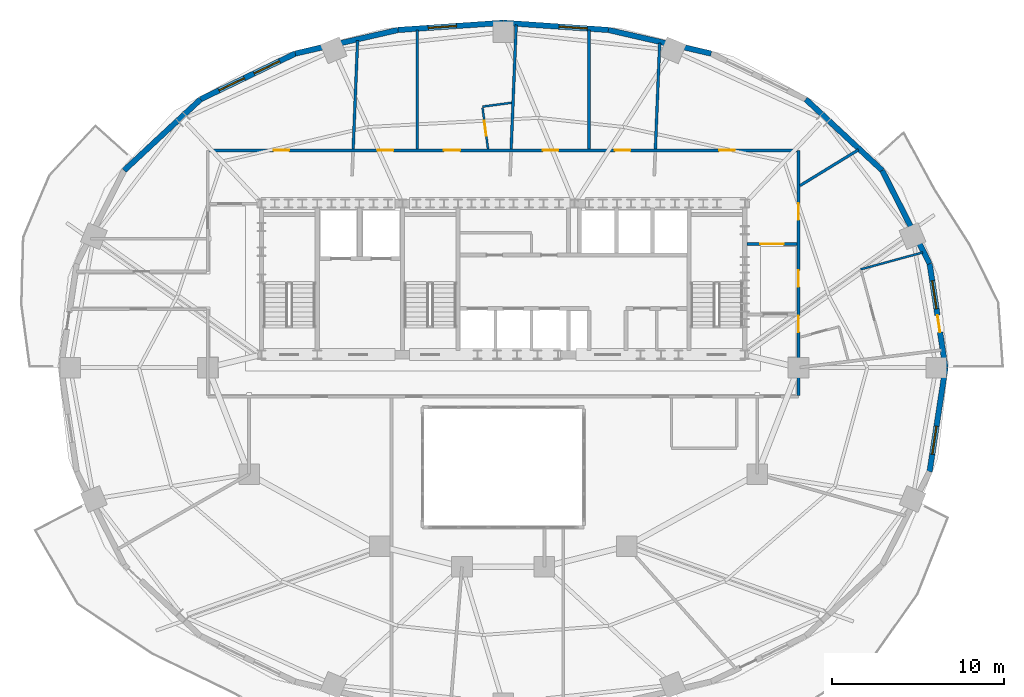
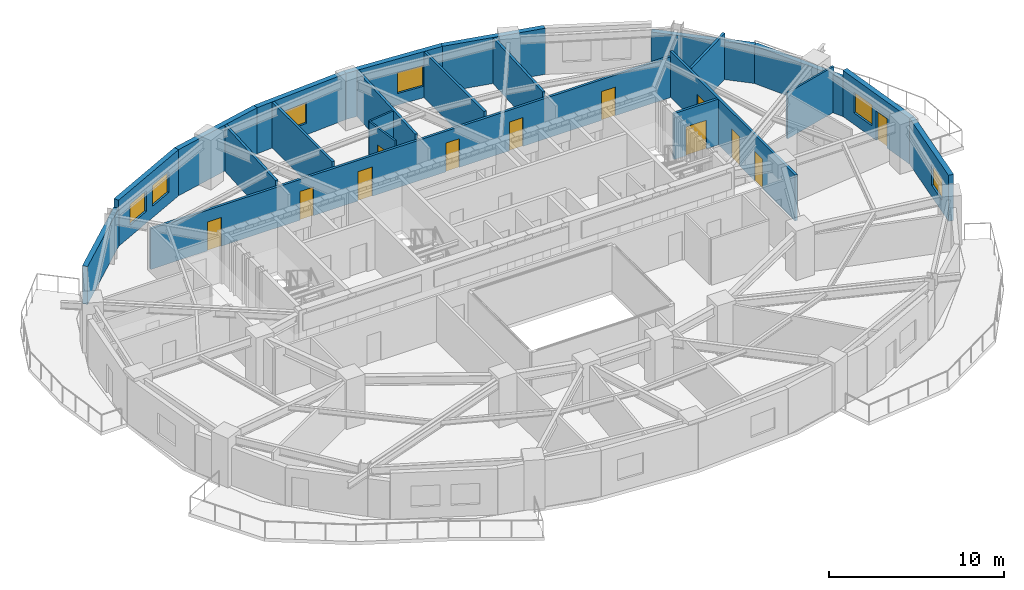
# One storey, part 8 of 13: 22 walls, 12 doors, 6 windows, 18 openings.
"""IFC4 building model written with IfcOpenShell, lengths in metres."""

from ifc_helpers import new_model, si_unit, direction, frame, frame_2d, origin, place, context, subcontext, project, spatial, rectangle, extrude, material, layer, layer_set, type_object, element, fill, save


model = new_model("IFC4")

# Units and contexts
model_context = context("Model", 3, precision=1e-05, world=origin(), true_north=direction((0.0, 1.0)))
body_context = subcontext(model_context, "Body", "Model", "MODEL_VIEW")
ifc_project = project(units=[si_unit("LENGTHUNIT", "METRE"), si_unit("AREAUNIT", "SQUARE_METRE"), si_unit("VOLUMEUNIT", "CUBIC_METRE"), si_unit("PLANEANGLEUNIT", "RADIAN"), si_unit("MASSUNIT", "GRAM", prefix="KILO")], contexts=[model_context])

# Site, building, storey
site_placement = place(None, origin())
site = spatial("IfcSite", under=ifc_project, at=site_placement, CompositionType="ELEMENT")
building_placement = place(site_placement, origin())
building = spatial("IfcBuilding", under=site, at=building_placement, Name="Haldorwick Loom Tower", CompositionType="ELEMENT")
storey_placement = place(building_placement, frame((0.0, 0.0, 135.64990234375)))
storey = spatial("IfcBuildingStorey", under=building, at=storey_placement, Name="L36", CompositionType="ELEMENT", Elevation=135.64990234375)

# Wall, openings, door, window
ifc_material_1 = material(Name="Pressed Clay Face Brick and Insulated Masonry Backup Assembly", Category="masonry")
ifc_layer_1 = layer(ifc_material_1, 0.320068359375, Name="Pressed Clay Face Brick and Insulated Masonry Backup Assembly", Category="masonry")
ifc_layer_set_1 = layer_set([ifc_layer_1], Name="Pressed Clay Face Brick and Insulated Masonry Backup Assembly")
wall_type_1 = type_object("IfcWallType", Name="ARC-WL-EXT320", PredefinedType="STANDARD", material=ifc_layer_set_1)
wall_1_placement = place(storey_placement, frame((61.757080078125, 26.0, 0.0), z_axis=(0.0, 0.0, 1.0), x_axis=(-0.150544467684, 0.988603238539, 0.0)))
wall_1 = element("IfcWall", 1, at=wall_1_placement, inside=storey, type_object=wall_type_1, Name="L36 Brick Pier and Spandrel Wall 1", PredefinedType="STANDARD", context=body_context, shape_type="SweptSolid", body=[
    extrude(rectangle(XDim=6.125244140625, YDim=0.320068359375, at=frame_2d((3.0625, 0.0))), origin(), (0.0, 0.0, 1.0), 3.210205078125),
])
opening_1_placement = place(wall_1_placement, frame((2.08203125, 0.0, 0.0)))
opening_1 = element("IfcOpeningElement", 2, at=opening_1_placement, cuts=wall_1, Name="Opening D-BL10", PredefinedType="OPENING", context=body_context, shape_type="SweptSolid", body=[
    extrude(rectangle(XDim=1.0, YDim=2.0400390625, at=frame_2d((0.5, 1.02001953125))), frame((0.0, 0.169921875, 0.0), z_axis=(0.0, -1.0, 0.0), x_axis=(1.0, 0.0, 0.0)), (0.0, 0.0, 1.0), 0.340087890625),
])
opening_2_placement = place(wall_1_placement, frame((3.462646484375, 0.0, 0.800048828125)))
opening_2 = element("IfcOpeningElement", 3, at=opening_2_placement, cuts=wall_1, Name="Opening W-01B", PredefinedType="OPENING", context=body_context, shape_type="SweptSolid", body=[
    extrude(rectangle(XDim=1.64990234375, YDim=1.449951171875, at=frame_2d((0.824951171875, 0.72509765625))), frame((0.0, 0.169921875, 0.0), z_axis=(0.0, -1.0, 0.0), x_axis=(1.0, 0.0, 0.0)), (0.0, 0.0, 1.0), 0.340087890625),
])
ifc_material_2 = material(Name="Thermally Broken Anodized Aluminium Curtain Wall Framing", Category="aluminium")
door_type_1 = type_object("IfcDoorType", Name="ARC-DR-BAL100", OperationType="NOTDEFINED", PredefinedType="DOOR", material=ifc_material_2)
door_1_placement = place(opening_1_placement, origin())
door_1 = element("IfcDoor", 4, at=door_1_placement, inside=storey, type_object=door_type_1, Name="L36 Outdoor Terrace Door SLB-L36-BAL_ENE", OperationType="SINGLE_SWING_RIGHT", OverallHeight=2.0400390625, OverallWidth=1.0, PredefinedType="DOOR", context=body_context, shape_type="SweptSolid", body=[
    extrude(rectangle(XDim=1.0, YDim=2.0400390625, at=frame_2d((0.5, 1.02001953125))), frame((0.0, 0.02490234375, 0.0), z_axis=(0.0, -1.0, 0.0), x_axis=(1.0, 0.0, 0.0)), (0.0, 0.0, 1.0), 0.050048828125),
])
fill(opening_1, door_1)
ifc_material_3 = material(Name="Triple-Glazed Low-E Argon Insulated Glazing Unit", Category="glass")
window_type = type_object("IfcWindowType", Name="ARC-WIN-W165", PartitioningType="SINGLE_PANEL", PredefinedType="WINDOW", material=ifc_material_3)
window_1_placement = place(opening_2_placement, origin())
window_1 = element("IfcWindow", 5, at=window_1_placement, inside=storey, type_object=window_type, Name="L36 Deep-Set Zone 7A Window 1", OverallHeight=1.449951171875, OverallWidth=1.64990234375, PartitioningType="SINGLE_PANEL", PredefinedType="WINDOW", context=body_context, shape_type="SweptSolid", body=[
    extrude(rectangle(XDim=1.64990234375, YDim=1.449951171875, at=frame_2d((0.824951171875, 0.72509765625))), frame((0.0, 0.030029296875, 0.0), z_axis=(0.0, -1.0, 0.0), x_axis=(1.0, 0.0, 0.0)), (0.0, 0.0, 1.0), 0.06005859375),
])
fill(opening_2, window_1)

# Walls
wall_2_placement = place(storey_placement, frame((60.8349609375, 32.055419921875, 0.0), z_axis=(0.0, 0.0, 1.0), x_axis=(-0.453172129629, 0.89142303141, 0.0)))
element("IfcWall", 6, at=wall_2_placement, inside=storey, type_object=wall_type_1, Name="L36 Brick Pier and Spandrel Wall 2", PredefinedType="STANDARD", context=body_context, shape_type="SweptSolid", body=[
    extrude(rectangle(XDim=6.086669921875, YDim=0.320068359375, at=frame_2d((3.04345703125, 0.0))), origin(), (0.0, 0.0, 1.0), 2.64111328125),
])
wall_3_placement = place(storey_placement, frame((58.07666015625, 37.481201171875, 0.0), z_axis=(0.0, 0.0, 1.0), x_axis=(-0.732001571644, 0.681302942244, 0.0)))
element("IfcWall", 7, at=wall_3_placement, inside=storey, type_object=wall_type_1, Name="L36 Brick Pier and Spandrel Wall 3", PredefinedType="STANDARD", context=body_context, shape_type="SweptSolid", body=[
    extrude(rectangle(XDim=6.0869140625, YDim=0.320068359375, at=frame_2d((3.04345703125, 0.0))), origin(), (0.0, 0.0, 1.0), 2.64111328125),
])
wall_4_placement = place(storey_placement, frame((48.11181640625, 44.2890625, 0.0), z_axis=(0.0, 0.0, 1.0), x_axis=(-0.974593223547, 0.223982250674, 0.0)))
element("IfcWall", 8, at=wall_4_placement, inside=storey, type_object=wall_type_1, Name="L36 Brick Pier and Spandrel Wall 5", PredefinedType="STANDARD", context=body_context, shape_type="SweptSolid", body=[
    extrude(rectangle(XDim=6.138916015625, YDim=0.320068359375, at=frame_2d((3.0693359375, 0.0))), origin(), (0.0, 0.0, 1.0), 3.210205078125),
])

# Wall, opening, window
wall_5_placement = place(storey_placement, frame((42.12890625, 45.6640625, 0.0), z_axis=(0.0, 0.0, 1.0), x_axis=(-0.997652942988, 0.068473391522, 0.0)))
wall_5 = element("IfcWall", 9, at=wall_5_placement, inside=storey, type_object=wall_type_1, Name="L36 Brick Pier and Spandrel Wall 6", PredefinedType="STANDARD", context=body_context, shape_type="SweptSolid", body=[
    extrude(rectangle(XDim=6.143310546875, YDim=0.320068359375, at=frame_2d((3.07177734375, 0.0))), origin(), (0.0, 0.0, 1.0), 3.210205078125),
])
opening_3_placement = place(wall_5_placement, frame((1.233642578125, 0.0, 0.800048828125)))
opening_3 = element("IfcOpeningElement", 10, at=opening_3_placement, cuts=wall_5, Name="Opening W-01B", PredefinedType="OPENING", context=body_context, shape_type="SweptSolid", body=[
    extrude(rectangle(XDim=1.64990234375, YDim=1.449951171875, at=frame_2d((0.824951171875, 0.72509765625))), frame((0.0, 0.169921875, 0.0), z_axis=(0.0, -1.0, 0.0), x_axis=(1.0, 0.0, 0.0)), (0.0, 0.0, 1.0), 0.340087890625),
])
window_2_placement = place(opening_3_placement, origin())
window_2 = element("IfcWindow", 11, at=window_2_placement, inside=storey, type_object=window_type, Name="L36 Deep-Set Zone 7A Window 6", OverallHeight=1.449951171875, OverallWidth=1.64990234375, PartitioningType="SINGLE_PANEL", PredefinedType="WINDOW", context=body_context, shape_type="SweptSolid", body=[
    extrude(rectangle(XDim=1.64990234375, YDim=1.449951171875, at=frame_2d((0.824951171875, 0.72509765625))), frame((0.0, 0.030029296875, 0.0), z_axis=(0.0, -1.0, 0.0), x_axis=(1.0, 0.0, 0.0)), (0.0, 0.0, 1.0), 0.06005859375),
])
fill(opening_3, window_2)

wall_6_placement = place(storey_placement, frame((36.0, 46.084716796875, 0.0), z_axis=(0.0, 0.0, 1.0), x_axis=(-0.997652942988, -0.068473391522, 0.0)))
wall_6 = element("IfcWall", 12, at=wall_6_placement, inside=storey, type_object=wall_type_1, Name="L36 Brick Pier and Spandrel Wall 7", PredefinedType="STANDARD", context=body_context, shape_type="SweptSolid", body=[
    extrude(rectangle(XDim=6.143310546875, YDim=0.320068359375, at=frame_2d((3.07177734375, 0.0))), origin(), (0.0, 0.0, 1.0), 3.210205078125),
])
opening_4_placement = place(wall_6_placement, frame((2.723388671875, 0.0, 0.800048828125)))
opening_4 = element("IfcOpeningElement", 13, at=opening_4_placement, cuts=wall_6, Name="Opening W-01B", PredefinedType="OPENING", context=body_context, shape_type="SweptSolid", body=[
    extrude(rectangle(XDim=1.64990234375, YDim=1.449951171875, at=frame_2d((0.824951171875, 0.72509765625))), frame((0.0, 0.169921875, 0.0), z_axis=(0.0, -1.0, 0.0), x_axis=(1.0, 0.0, 0.0)), (0.0, 0.0, 1.0), 0.340087890625),
])
window_3_placement = place(opening_4_placement, origin())
window_3 = element("IfcWindow", 14, at=window_3_placement, inside=storey, type_object=window_type, Name="L36 Deep-Set Zone 7A Window 7", OverallHeight=1.449951171875, OverallWidth=1.64990234375, PartitioningType="SINGLE_PANEL", PredefinedType="WINDOW", context=body_context, shape_type="SweptSolid", body=[
    extrude(rectangle(XDim=1.64990234375, YDim=1.449951171875, at=frame_2d((0.824951171875, 0.72509765625))), frame((0.0, 0.030029296875, 0.0), z_axis=(0.0, -1.0, 0.0), x_axis=(1.0, 0.0, 0.0)), (0.0, 0.0, 1.0), 0.06005859375),
])
fill(opening_4, window_3)

# Wall
wall_7_placement = place(storey_placement, frame((29.87109375, 45.6640625, 0.0), z_axis=(0.0, 0.0, 1.0), x_axis=(-0.974593223547, -0.223982250674, 0.0)))
element("IfcWall", 15, at=wall_7_placement, inside=storey, type_object=wall_type_1, Name="L36 Brick Pier and Spandrel Wall 8", PredefinedType="STANDARD", context=body_context, shape_type="SweptSolid", body=[
    extrude(rectangle(XDim=6.138916015625, YDim=0.320068359375, at=frame_2d((3.0693359375, 0.0))), origin(), (0.0, 0.0, 1.0), 3.210205078125),
])

# Wall, openings, windows
wall_8_placement = place(storey_placement, frame((23.88818359375, 44.2890625, 0.0), z_axis=(0.0, 0.0, 1.0), x_axis=(-0.900479976617, -0.434897472644, 0.0)))
wall_8 = element("IfcWall", 16, at=wall_8_placement, inside=storey, type_object=wall_type_1, Name="L36 Brick Pier and Spandrel Wall 9", PredefinedType="STANDARD", context=body_context, shape_type="SweptSolid", body=[
    extrude(rectangle(XDim=6.118408203125, YDim=0.320068359375, at=frame_2d((3.05908203125, 0.0))), origin(), (0.0, 0.0, 1.0), 3.210205078125),
])
opening_5_placement = place(wall_8_placement, frame((1.010498046875, 0.0, 0.800048828125)))
opening_5 = element("IfcOpeningElement", 17, at=opening_5_placement, cuts=wall_8, Name="Opening W-01B", PredefinedType="OPENING", context=body_context, shape_type="SweptSolid", body=[
    extrude(rectangle(XDim=1.64990234375, YDim=1.449951171875, at=frame_2d((0.824951171875, 0.72509765625))), frame((0.0, 0.169921875, 0.0), z_axis=(0.0, -1.0, 0.0), x_axis=(1.0, 0.0, 0.0)), (0.0, 0.0, 1.0), 0.340087890625),
])
opening_6_placement = place(wall_8_placement, frame((3.28662109375, 0.0, 0.800048828125)))
opening_6 = element("IfcOpeningElement", 18, at=opening_6_placement, cuts=wall_8, Name="Opening W-01B", PredefinedType="OPENING", context=body_context, shape_type="SweptSolid", body=[
    extrude(rectangle(XDim=1.64990234375, YDim=1.449951171875, at=frame_2d((0.824951171875, 0.72509765625))), frame((0.0, 0.169921875, 0.0), z_axis=(0.0, -1.0, 0.0), x_axis=(1.0, 0.0, 0.0)), (0.0, 0.0, 1.0), 0.340087890625),
])
window_4_placement = place(opening_5_placement, origin())
window_4 = element("IfcWindow", 19, at=window_4_placement, inside=storey, type_object=window_type, Name="L36 Deep-Set Zone 7A Window 9", OverallHeight=1.449951171875, OverallWidth=1.64990234375, PartitioningType="SINGLE_PANEL", PredefinedType="WINDOW", context=body_context, shape_type="SweptSolid", body=[
    extrude(rectangle(XDim=1.64990234375, YDim=1.449951171875, at=frame_2d((0.824951171875, 0.72509765625))), frame((0.0, 0.030029296875, 0.0), z_axis=(0.0, -1.0, 0.0), x_axis=(1.0, 0.0, 0.0)), (0.0, 0.0, 1.0), 0.06005859375),
])
fill(opening_5, window_4)
window_5_placement = place(opening_6_placement, origin())
window_5 = element("IfcWindow", 20, at=window_5_placement, inside=storey, type_object=window_type, Name="L36 Deep-Set Zone 7A Window 9", OverallHeight=1.449951171875, OverallWidth=1.64990234375, PartitioningType="SINGLE_PANEL", PredefinedType="WINDOW", context=body_context, shape_type="SweptSolid", body=[
    extrude(rectangle(XDim=1.64990234375, YDim=1.449951171875, at=frame_2d((0.824951171875, 0.72509765625))), frame((0.0, 0.030029296875, 0.0), z_axis=(0.0, -1.0, 0.0), x_axis=(1.0, 0.0, 0.0)), (0.0, 0.0, 1.0), 0.06005859375),
])
fill(opening_6, window_5)

# Wall
wall_9_placement = place(storey_placement, frame((18.378662109375, 41.628173828125, 0.0), z_axis=(0.0, 0.0, 1.0), x_axis=(-0.731982952968, -0.681322945866, 0.0)))
element("IfcWall", 21, at=wall_9_placement, inside=storey, type_object=wall_type_1, Name="L36 Brick Pier and Spandrel Wall 10", PredefinedType="STANDARD", context=body_context, shape_type="SweptSolid", body=[
    extrude(rectangle(XDim=6.086669921875, YDim=0.320068359375, at=frame_2d((3.04345703125, 0.0))), origin(), (0.0, 0.0, 1.0), 2.64111328125),
])

# Wall, opening, window
wall_10_placement = place(storey_placement, frame((60.8349609375, 19.944580078125, 0.0), z_axis=(0.0, 0.0, 1.0), x_axis=(0.150544467684, 0.988603238539, 0.0)))
wall_10 = element("IfcWall", 22, at=wall_10_placement, inside=storey, type_object=wall_type_1, Name="L36 Brick Pier and Spandrel Wall 24", PredefinedType="STANDARD", context=body_context, shape_type="SweptSolid", body=[
    extrude(rectangle(XDim=6.125244140625, YDim=0.320068359375, at=frame_2d((3.0625, 0.0))), origin(), (0.0, 0.0, 1.0), 3.210205078125),
])
opening_7_placement = place(wall_10_placement, frame((1.0126953125, 0.0, 0.800048828125)))
opening_7 = element("IfcOpeningElement", 23, at=opening_7_placement, cuts=wall_10, Name="Opening W-01B", PredefinedType="OPENING", context=body_context, shape_type="SweptSolid", body=[
    extrude(rectangle(XDim=1.64990234375, YDim=1.449951171875, at=frame_2d((0.824951171875, 0.72509765625))), frame((0.0, 0.169921875, 0.0), z_axis=(0.0, -1.0, 0.0), x_axis=(1.0, 0.0, 0.0)), (0.0, 0.0, 1.0), 0.340087890625),
])
window_6_placement = place(opening_7_placement, origin())
window_6 = element("IfcWindow", 24, at=window_6_placement, inside=storey, type_object=window_type, Name="L36 Deep-Set Zone 7A Window 24", OverallHeight=1.449951171875, OverallWidth=1.64990234375, PartitioningType="SINGLE_PANEL", PredefinedType="WINDOW", context=body_context, shape_type="SweptSolid", body=[
    extrude(rectangle(XDim=1.64990234375, YDim=1.449951171875, at=frame_2d((0.824951171875, 0.72509765625))), frame((0.0, 0.030029296875, 0.0), z_axis=(0.0, -1.0, 0.0), x_axis=(1.0, 0.0, 0.0)), (0.0, 0.0, 1.0), 0.06005859375),
])
fill(opening_7, window_6)

# Wall, openings, doors
ifc_material_4 = material(Name="Fire-Rated Type X Gypsum Stud Assembly EI 60")
ifc_layer_2 = layer(ifc_material_4, 0.159912109375, Name="Fire-Rated Type X Gypsum Stud Assembly EI 60")
ifc_layer_set_2 = layer_set([ifc_layer_2], Name="Fire-Rated Type X Gypsum Stud Assembly EI 60")
wall_type_2 = type_object("IfcWallType", Name="ARC-WL-FIRE160", PredefinedType="PARTITIONING", material=ifc_layer_set_2)
wall_11_placement = place(storey_placement, frame((53.199951171875, 24.383056640625, 0.0), z_axis=(0.0, 0.0, 1.0), x_axis=(0.0, 1.0, 0.0)))
wall_11 = element("IfcWall", 25, at=wall_11_placement, inside=storey, type_object=wall_type_2, Name="L36 Residential Fire Partition L36-CR-E0", PredefinedType="PARTITIONING", context=body_context, shape_type="SweptSolid", body=[
    extrude(rectangle(XDim=14.266845703125, YDim=0.159912109375, at=frame_2d((7.13330078125, 0.0))), origin(), (0.0, 0.0, 1.0), 3.195068359375),
])
opening_8_placement = place(wall_11_placement, frame((6.32421875, 0.0, 0.0)))
opening_8 = element("IfcOpeningElement", 26, at=opening_8_placement, cuts=wall_11, Name="Opening D-FL95", PredefinedType="OPENING", context=body_context, shape_type="SweptSolid", body=[
    extrude(rectangle(XDim=0.949951171875, YDim=2.0400390625, at=frame_2d((0.47509765625, 1.02001953125))), frame((0.0, 0.08984375, 0.0), z_axis=(0.0, -1.0, 0.0), x_axis=(1.0, 0.0, 0.0)), (0.0, 0.0, 1.0), 0.179931640625),
])
opening_9_placement = place(wall_11_placement, frame((10.225341796875, 0.0, 0.0)))
opening_9 = element("IfcOpeningElement", 27, at=opening_9_placement, cuts=wall_11, Name="Opening D-FL95", PredefinedType="OPENING", context=body_context, shape_type="SweptSolid", body=[
    extrude(rectangle(XDim=0.949951171875, YDim=2.0400390625, at=frame_2d((0.47509765625, 1.02001953125))), frame((0.0, 0.08984375, 0.0), z_axis=(0.0, -1.0, 0.0), x_axis=(1.0, 0.0, 0.0)), (0.0, 0.0, 1.0), 0.179931640625),
])
opening_10_placement = place(wall_11_placement, frame((3.6884765625, 0.0, 0.0)))
opening_10 = element("IfcOpeningElement", 28, at=opening_10_placement, cuts=wall_11, Name="Opening D-FL95", PredefinedType="OPENING", context=body_context, shape_type="SweptSolid", body=[
    extrude(rectangle(XDim=0.949951171875, YDim=2.0400390625, at=frame_2d((0.47509765625, 1.02001953125))), frame((0.0, 0.08984375, 0.0), z_axis=(0.0, -1.0, 0.0), x_axis=(1.0, 0.0, 0.0)), (0.0, 0.0, 1.0), 0.179931640625),
])
ifc_material_5 = material(Name="Solid Core Birch Architectural Door")
door_type_2 = type_object("IfcDoorType", Name="ARC-DR-FLAT95", OperationType="NOTDEFINED", PredefinedType="DOOR", material=ifc_material_5)
door_2_placement = place(opening_8_placement, origin())
door_2 = element("IfcDoor", 29, at=door_2_placement, inside=storey, type_object=door_type_2, Name="L36 L36 East Residential Corridor to Unit 36D Kitchen and Living Room Do", OperationType="SINGLE_SWING_LEFT", OverallHeight=2.0400390625, OverallWidth=0.949951171875, PredefinedType="DOOR", context=body_context, shape_type="SweptSolid", body=[
    extrude(rectangle(XDim=0.949951171875, YDim=2.0400390625, at=frame_2d((0.47509765625, 1.02001953125))), frame((0.0, 0.02490234375, 0.0), z_axis=(0.0, -1.0, 0.0), x_axis=(1.0, 0.0, 0.0)), (0.0, 0.0, 1.0), 0.050048828125),
])
fill(opening_8, door_2)
door_3_placement = place(opening_9_placement, origin())
door_3 = element("IfcDoor", 30, at=door_3_placement, inside=storey, type_object=door_type_2, Name="L36 L36 North Residential Corridor to Unit 36D Kitchen and Living Room D", OperationType="SINGLE_SWING_RIGHT", OverallHeight=2.0400390625, OverallWidth=0.949951171875, PredefinedType="DOOR", context=body_context, shape_type="SweptSolid", body=[
    extrude(rectangle(XDim=0.949951171875, YDim=2.0400390625, at=frame_2d((0.47509765625, 1.02001953125))), frame((0.0, 0.02490234375, 0.0), z_axis=(0.0, -1.0, 0.0), x_axis=(1.0, 0.0, 0.0)), (0.0, 0.0, 1.0), 0.050048828125),
])
fill(opening_9, door_3)
door_4_placement = place(opening_10_placement, origin())
door_4 = element("IfcDoor", 31, at=door_4_placement, inside=storey, type_object=door_type_2, Name="L36 L36 Central Residential Corridor to Unit 36D Kitchen and Living Room", OperationType="SINGLE_SWING_LEFT", OverallHeight=2.0400390625, OverallWidth=0.949951171875, PredefinedType="DOOR", context=body_context, shape_type="SweptSolid", body=[
    extrude(rectangle(XDim=0.949951171875, YDim=2.0400390625, at=frame_2d((0.47509765625, 1.02001953125))), frame((0.0, 0.02490234375, 0.0), z_axis=(0.0, -1.0, 0.0), x_axis=(1.0, 0.0, 0.0)), (0.0, 0.0, 1.0), 0.050048828125),
])
fill(opening_10, door_4)

# Wall, opening, door
wall_12_placement = place(storey_placement, frame((50.193115234375, 33.199951171875, 0.0), z_axis=(0.0, 0.0, 1.0), x_axis=(1.0, 0.0, 0.0)))
wall_12 = element("IfcWall", 32, at=wall_12_placement, inside=storey, type_object=wall_type_2, Name="L36 Residential Fire Partition L36-CR-ENJ", PredefinedType="PARTITIONING", context=body_context, shape_type="SweptSolid", body=[
    extrude(rectangle(XDim=2.923828125, YDim=0.159912109375, at=frame_2d((1.4619140625, 0.0))), origin(), (0.0, 0.0, 1.0), 3.195068359375),
])
opening_11_placement = place(wall_12_placement, frame((0.787109375, 0.0, 0.0)))
opening_11 = element("IfcOpeningElement", 33, at=opening_11_placement, cuts=wall_12, Name="Opening D-CR15", PredefinedType="OPENING", context=body_context, shape_type="SweptSolid", body=[
    extrude(rectangle(XDim=1.35009765625, YDim=2.0, at=frame_2d((0.675048828125, 1.0))), frame((0.0, 0.08984375, 0.0), z_axis=(0.0, -1.0, 0.0), x_axis=(1.0, 0.0, 0.0)), (0.0, 0.0, 1.0), 0.179931640625),
])
ifc_material_6 = material(Name="Thermally Broken Anodized Aluminium and Tempered Glass", Category="aluminium")
door_type_3 = type_object("IfcDoorType", Name="ARC-DR-COR150", OperationType="NOTDEFINED", PredefinedType="DOOR", material=ifc_material_6)
door_5_placement = place(opening_11_placement, origin())
door_5 = element("IfcDoor", 34, at=door_5_placement, inside=storey, type_object=door_type_3, Name="L36 L36 North Residential Corridor to L36 East Residential Corridor Door", OperationType="DOUBLE_DOOR_SINGLE_SWING", OverallHeight=2.0, OverallWidth=1.35009765625, PredefinedType="DOOR", context=body_context, shape_type="SweptSolid", body=[
    extrude(rectangle(XDim=1.35009765625, YDim=2.0, at=frame_2d((0.675048828125, 1.0))), frame((0.0, 0.02490234375, 0.0), z_axis=(0.0, -1.0, 0.0), x_axis=(1.0, 0.0, 0.0)), (0.0, 0.0, 1.0), 0.050048828125),
])
fill(opening_11, door_5)

# Wall, openings, doors
wall_13_placement = place(storey_placement, frame((18.883056640625, 38.64990234375, 0.0), z_axis=(0.0, 0.0, 1.0), x_axis=(1.0, 0.0, 0.0)))
wall_13 = element("IfcWall", 35, at=wall_13_placement, inside=storey, type_object=wall_type_2, Name="L36 Residential Fire Partition L36-CR-N0", PredefinedType="PARTITIONING", context=body_context, shape_type="SweptSolid", body=[
    extrude(rectangle(XDim=34.23388671875, YDim=0.159912109375, at=frame_2d((17.116943359375, 0.0))), origin(), (0.0, 0.0, 1.0), 2.8271484375),
])
opening_12_placement = place(wall_13_placement, frame((3.746337890625, 0.0, 0.0)))
opening_12 = element("IfcOpeningElement", 36, at=opening_12_placement, cuts=wall_13, Name="Opening D-FD60A", PredefinedType="OPENING", context=body_context, shape_type="SweptSolid", body=[
    extrude(rectangle(XDim=0.89990234375, YDim=2.0, at=frame_2d((0.449951171875, 1.0))), frame((0.0, 0.08984375, 0.0), z_axis=(0.0, -1.0, 0.0), x_axis=(1.0, 0.0, 0.0)), (0.0, 0.0, 1.0), 0.179931640625),
])
opening_13_placement = place(wall_13_placement, frame((29.697998046875, 0.0, 0.0)))
opening_13 = element("IfcOpeningElement", 37, at=opening_13_placement, cuts=wall_13, Name="Opening D-FD60A", PredefinedType="OPENING", context=body_context, shape_type="SweptSolid", body=[
    extrude(rectangle(XDim=0.89990234375, YDim=2.0, at=frame_2d((0.449951171875, 1.0))), frame((0.0, 0.08984375, 0.0), z_axis=(0.0, -1.0, 0.0), x_axis=(1.0, 0.0, 0.0)), (0.0, 0.0, 1.0), 0.179931640625),
])
opening_14_placement = place(wall_13_placement, frame((19.427734375, 0.0, 0.0)))
opening_14 = element("IfcOpeningElement", 38, at=opening_14_placement, cuts=wall_13, Name="Opening D-FD60A", PredefinedType="OPENING", context=body_context, shape_type="SweptSolid", body=[
    extrude(rectangle(XDim=0.89990234375, YDim=2.0, at=frame_2d((0.449951171875, 1.0))), frame((0.0, 0.08984375, 0.0), z_axis=(0.0, -1.0, 0.0), x_axis=(1.0, 0.0, 0.0)), (0.0, 0.0, 1.0), 0.179931640625),
])
opening_15_placement = place(wall_13_placement, frame((13.660400390625, 0.0, 0.0)))
opening_15 = element("IfcOpeningElement", 39, at=opening_15_placement, cuts=wall_13, Name="Opening D-FL95", PredefinedType="OPENING", context=body_context, shape_type="SweptSolid", body=[
    extrude(rectangle(XDim=0.949951171875, YDim=2.0400390625, at=frame_2d((0.47509765625, 1.02001953125))), frame((0.0, 0.08984375, 0.0), z_axis=(0.0, -1.0, 0.0), x_axis=(1.0, 0.0, 0.0)), (0.0, 0.0, 1.0), 0.179931640625),
])
opening_16_placement = place(wall_13_placement, frame((23.624267578125, 0.0, 0.0)))
opening_16 = element("IfcOpeningElement", 40, at=opening_16_placement, cuts=wall_13, Name="Opening D-FD60A", PredefinedType="OPENING", context=body_context, shape_type="SweptSolid", body=[
    extrude(rectangle(XDim=0.89990234375, YDim=2.0, at=frame_2d((0.449951171875, 1.0))), frame((0.0, 0.08984375, 0.0), z_axis=(0.0, -1.0, 0.0), x_axis=(1.0, 0.0, 0.0)), (0.0, 0.0, 1.0), 0.179931640625),
])
opening_17_placement = place(wall_13_placement, frame((9.8203125, 0.0, 0.0)))
opening_17 = element("IfcOpeningElement", 41, at=opening_17_placement, cuts=wall_13, Name="Opening D-FD60A", PredefinedType="OPENING", context=body_context, shape_type="SweptSolid", body=[
    extrude(rectangle(XDim=0.89990234375, YDim=2.0, at=frame_2d((0.449951171875, 1.0))), frame((0.0, 0.08984375, 0.0), z_axis=(0.0, -1.0, 0.0), x_axis=(1.0, 0.0, 0.0)), (0.0, 0.0, 1.0), 0.179931640625),
])
ifc_material_7 = material(Name="Hollow Steel Fire Door Assembly", Category="steel")
door_type_4 = type_object("IfcDoorType", Name="ARC-DR-FD60-90", OperationType="NOTDEFINED", PredefinedType="DOOR", material=ifc_material_7)
door_6_placement = place(opening_12_placement, frame((0.89990234375, 0.0, 0.0), z_axis=(0.0, 0.0, 1.0), x_axis=(-1.0, 0.0, 0.0)))
door_6 = element("IfcDoor", 42, at=door_6_placement, inside=storey, type_object=door_type_4, Name="L36 Shared Resident Dining Hall 5 to L36 North Residential Corridor Door", OperationType="SINGLE_SWING_RIGHT", OverallHeight=2.0, OverallWidth=0.89990234375, PredefinedType="DOOR", context=body_context, shape_type="SweptSolid", body=[
    extrude(rectangle(XDim=0.89990234375, YDim=2.0, at=frame_2d((0.449951171875, 1.0))), frame((0.0, 0.02490234375, 0.0), z_axis=(0.0, -1.0, 0.0), x_axis=(1.0, 0.0, 0.0)), (0.0, 0.0, 1.0), 0.050048828125),
])
fill(opening_12, door_6)
door_7_placement = place(opening_13_placement, frame((0.89990234375, 0.0, 0.0), z_axis=(0.0, 0.0, 1.0), x_axis=(-1.0, 0.0, 0.0)))
door_7 = element("IfcDoor", 43, at=door_7_placement, inside=storey, type_object=door_type_4, Name="L36 Resident Cafe Room 2 to L36 North Residential Corridor Door", OperationType="SINGLE_SWING_LEFT", OverallHeight=2.0, OverallWidth=0.89990234375, PredefinedType="DOOR", context=body_context, shape_type="SweptSolid", body=[
    extrude(rectangle(XDim=0.89990234375, YDim=2.0, at=frame_2d((0.449951171875, 1.0))), frame((0.0, 0.02490234375, 0.0), z_axis=(0.0, -1.0, 0.0), x_axis=(1.0, 0.0, 0.0)), (0.0, 0.0, 1.0), 0.050048828125),
])
fill(opening_13, door_7)
door_8_placement = place(opening_14_placement, frame((0.89990234375, 0.0, 0.0), z_axis=(0.0, 0.0, 1.0), x_axis=(-1.0, 0.0, 0.0)))
door_8 = element("IfcDoor", 44, at=door_8_placement, inside=storey, type_object=door_type_4, Name="L36 Tenant Committee Meeting Room 12 to L36 North Residential Corridor D", OperationType="SINGLE_SWING_RIGHT", OverallHeight=2.0, OverallWidth=0.89990234375, PredefinedType="DOOR", context=body_context, shape_type="SweptSolid", body=[
    extrude(rectangle(XDim=0.89990234375, YDim=2.0, at=frame_2d((0.449951171875, 1.0))), frame((0.0, 0.02490234375, 0.0), z_axis=(0.0, -1.0, 0.0), x_axis=(1.0, 0.0, 0.0)), (0.0, 0.0, 1.0), 0.050048828125),
])
fill(opening_14, door_8)
door_9_placement = place(opening_16_placement, frame((0.89990234375, 0.0, 0.0), z_axis=(0.0, 0.0, 1.0), x_axis=(-1.0, 0.0, 0.0)))
door_9 = element("IfcDoor", 45, at=door_9_placement, inside=storey, type_object=door_type_4, Name="L36 Wellness Consultation Room 11 to L36 North Residential Corridor Door", OperationType="SINGLE_SWING_LEFT", OverallHeight=2.0, OverallWidth=0.89990234375, PredefinedType="DOOR", context=body_context, shape_type="SweptSolid", body=[
    extrude(rectangle(XDim=0.89990234375, YDim=2.0, at=frame_2d((0.449951171875, 1.0))), frame((0.0, 0.02490234375, 0.0), z_axis=(0.0, -1.0, 0.0), x_axis=(1.0, 0.0, 0.0)), (0.0, 0.0, 1.0), 0.050048828125),
])
fill(opening_16, door_9)
door_10_placement = place(opening_17_placement, frame((0.89990234375, 0.0, 0.0), z_axis=(0.0, 0.0, 1.0), x_axis=(-1.0, 0.0, 0.0)))
door_10 = element("IfcDoor", 46, at=door_10_placement, inside=storey, type_object=door_type_4, Name="L36 Tenant Committee Meeting Room 10 to L36 North Residential Corridor D", OperationType="SINGLE_SWING_LEFT", OverallHeight=2.0, OverallWidth=0.89990234375, PredefinedType="DOOR", context=body_context, shape_type="SweptSolid", body=[
    extrude(rectangle(XDim=0.89990234375, YDim=2.0, at=frame_2d((0.449951171875, 1.0))), frame((0.0, 0.02490234375, 0.0), z_axis=(0.0, -1.0, 0.0), x_axis=(1.0, 0.0, 0.0)), (0.0, 0.0, 1.0), 0.050048828125),
])
fill(opening_17, door_10)
door_11_placement = place(opening_15_placement, frame((0.949951171875, 0.0, 0.0), z_axis=(0.0, 0.0, 1.0), x_axis=(-1.0, 0.0, 0.0)))
door_11 = element("IfcDoor", 47, at=door_11_placement, inside=storey, type_object=door_type_2, Name="L36 Unit 36F Kitchen and Studio Living Room to L36 North Residential Cor", OperationType="SINGLE_SWING_RIGHT", OverallHeight=2.0400390625, OverallWidth=0.949951171875, PredefinedType="DOOR", context=body_context, shape_type="SweptSolid", body=[
    extrude(rectangle(XDim=0.949951171875, YDim=2.0400390625, at=frame_2d((0.47509765625, 1.02001953125))), frame((0.0, 0.02490234375, 0.0), z_axis=(0.0, -1.0, 0.0), x_axis=(1.0, 0.0, 0.0)), (0.0, 0.0, 1.0), 0.050048828125),
])
fill(opening_15, door_11)

# Walls
for number, where, z_axis, x_axis, name in (
    (48, (31.0, 38.73291015625, 0.0), (0.0, 0.0, 1.0), (0.0, 1.0, 0.0), "L36 Residential Fire Partition L36-NBP-0"),
    (49, (41.0, 38.73291015625, 0.0), (0.0, 0.0, 1.0), (0.0, 1.0, 0.0), "L36 Residential Fire Partition L36-NBP-1"),
):
    element("IfcWall", number, at=place(storey_placement, frame(where, z_axis=z_axis, x_axis=x_axis)), inside=storey, type_object=wall_type_2, Name=name, PredefinedType="PARTITIONING", context=body_context, shape_type="SweptSolid", body=[
        extrude(rectangle(XDim=6.943359375, YDim=0.159912109375, at=frame_2d((3.4716796875, 0.0))), origin(), (0.0, 0.0, 1.0), 3.195068359375),
    ])
wall_14_placement = place(storey_placement, frame((27.264404296875, 38.73291015625, 0.0), z_axis=(0.0, 0.0, 1.0), x_axis=(0.040539530961, 0.99917793532, 0.0)))
element("IfcWall", 50, at=wall_14_placement, inside=storey, type_object=wall_type_2, Name="L36 Residential Fire Partition L36-UPN-12", PredefinedType="PARTITIONING", context=body_context, shape_type="SweptSolid", body=[
    extrude(rectangle(XDim=6.329345703125, YDim=0.159912109375, at=frame_2d((3.16455078125, 0.0))), origin(), (0.0, 0.0, 1.0), 3.195068359375),
])
wall_15_placement = place(storey_placement, frame((36.46435546875, 38.73291015625, 0.0), z_axis=(0.0, 0.0, 1.0), x_axis=(0.040530922585, 0.999178284549, 0.0)))
element("IfcWall", 51, at=wall_15_placement, inside=storey, type_object=wall_type_2, Name="L36 Residential Fire Partition L36-UPN-13", PredefinedType="PARTITIONING", context=body_context, shape_type="SweptSolid", body=[
    extrude(rectangle(XDim=7.240234375, YDim=0.159912109375, at=frame_2d((3.6201171875, 0.0))), origin(), (0.0, 0.0, 1.0), 3.195068359375),
])
wall_16_placement = place(storey_placement, frame((44.8642578125, 38.73291015625, 0.0), z_axis=(0.0, 0.0, 1.0), x_axis=(0.040551481586, 0.999177450377, 0.0)))
element("IfcWall", 52, at=wall_16_placement, inside=storey, type_object=wall_type_2, Name="L36 Residential Fire Partition L36-UPN-14", PredefinedType="PARTITIONING", context=body_context, shape_type="SweptSolid", body=[
    extrude(rectangle(XDim=6.18310546875, YDim=0.159912109375, at=frame_2d((3.091552734375, 0.0))), origin(), (0.0, 0.0, 1.0), 3.195068359375),
])
wall_17_placement = place(storey_placement, frame((53.282958984375, 36.596435546875, 0.0), z_axis=(0.0, 0.0, 1.0), x_axis=(0.852502860446, 0.522722558276, 0.0)))
element("IfcWall", 53, at=wall_17_placement, inside=storey, type_object=wall_type_2, Name="L36 Suite Split Wall", PredefinedType="PARTITIONING", context=body_context, shape_type="SweptSolid", body=[
    extrude(rectangle(XDim=3.99462890625, YDim=0.159912109375, at=frame_2d((1.997314453125, 0.0))), origin(), (0.0, 0.0, 1.0), 3.195068359375),
])
ifc_material_8 = material(Name="Acoustic Gypsum Stud Assembly STC 55")
ifc_layer_3 = layer(ifc_material_8, 0.1201171875, Name="Acoustic Gypsum Stud Assembly STC 55")
ifc_layer_set_3 = layer_set([ifc_layer_3], Name="Acoustic Gypsum Stud Assembly STC 55")
wall_type_3 = type_object("IfcWallType", Name="ARC-WL-PART120", PredefinedType="PARTITIONING", material=ifc_layer_set_3)
wall_18_placement = place(storey_placement, frame((56.8251953125, 31.72509765625, 0.0), z_axis=(0.0, 0.0, 1.0), x_axis=(0.965012118881, 0.262205282961, 0.0)))
element("IfcWall", 54, at=wall_18_placement, inside=storey, type_object=wall_type_3, Name="L36 Unit 36D Interior Partition", PredefinedType="PARTITIONING", context=body_context, shape_type="SweptSolid", body=[
    extrude(rectangle(XDim=3.737548828125, YDim=0.1201171875, at=frame_2d((1.86865234375, 0.0))), origin(), (0.0, 0.0, 1.0), 3.195068359375),
])
wall_19_placement = place(storey_placement, frame((36.490478515625, 41.4248046875, 0.0), z_axis=(0.0, 0.0, 1.0), x_axis=(-0.991252724576, -0.131977407232, 0.0)))
element("IfcWall", 55, at=wall_19_placement, inside=storey, type_object=wall_type_3, Name="L36 Unit 36F Interior Partition", PredefinedType="PARTITIONING", context=body_context, shape_type="SweptSolid", body=[
    extrude(rectangle(XDim=1.716796875, YDim=0.1201171875, at=frame_2d((0.8583984375, 0.0))), origin(), (0.0, 0.0, 1.0), 3.195068359375),
])

# Wall, opening, door
wall_20_placement = place(storey_placement, frame((35.116943359375, 38.73291015625, 0.0), z_axis=(0.0, 0.0, 1.0), x_axis=(-0.13193941223, 0.991257782567, 0.0)))
wall_20 = element("IfcWall", 56, at=wall_20_placement, inside=storey, type_object=wall_type_3, Name="L36 Unit 36F Interior Partition", PredefinedType="PARTITIONING", context=body_context, shape_type="SweptSolid", body=[
    extrude(rectangle(XDim=2.424072265625, YDim=0.1201171875, at=frame_2d((1.2119140625, 0.0))), origin(), (0.0, 0.0, 1.0), 3.195068359375),
])
opening_18_placement = place(wall_20_placement, frame((0.77197265625, 0.0, 0.0)))
opening_18 = element("IfcOpeningElement", 57, at=opening_18_placement, cuts=wall_20, Name="Opening D-BT88", PredefinedType="OPENING", context=body_context, shape_type="SweptSolid", body=[
    extrude(rectangle(XDim=0.8798828125, YDim=2.02001953125, at=frame_2d((0.43994140625, 1.010009765625))), frame((0.0, 0.070068359375, 0.0), z_axis=(0.0, -1.0, 0.0), x_axis=(1.0, 0.0, 0.0)), (0.0, 0.0, 1.0), 0.14013671875),
])
door_type_5 = type_object("IfcDoorType", Name="ARC-DR-BATH88", OperationType="NOTDEFINED", PredefinedType="DOOR", material=ifc_material_5)
door_12_placement = place(opening_18_placement, origin())
door_12 = element("IfcDoor", 58, at=door_12_placement, inside=storey, type_object=door_type_5, Name="L36 Unit 36F Kitchen and Studio Living Room to Unit 36F Bathroom Door", OperationType="SINGLE_SWING_RIGHT", OverallHeight=2.02001953125, OverallWidth=0.8798828125, PredefinedType="DOOR", context=body_context, shape_type="SweptSolid", body=[
    extrude(rectangle(XDim=0.8798828125, YDim=2.02001953125, at=frame_2d((0.43994140625, 1.010009765625))), frame((0.0, 0.02490234375, 0.0), z_axis=(0.0, -1.0, 0.0), x_axis=(1.0, 0.0, 0.0)), (0.0, 0.0, 1.0), 0.050048828125),
])
fill(opening_18, door_12)

save(model, "model.ifc")
